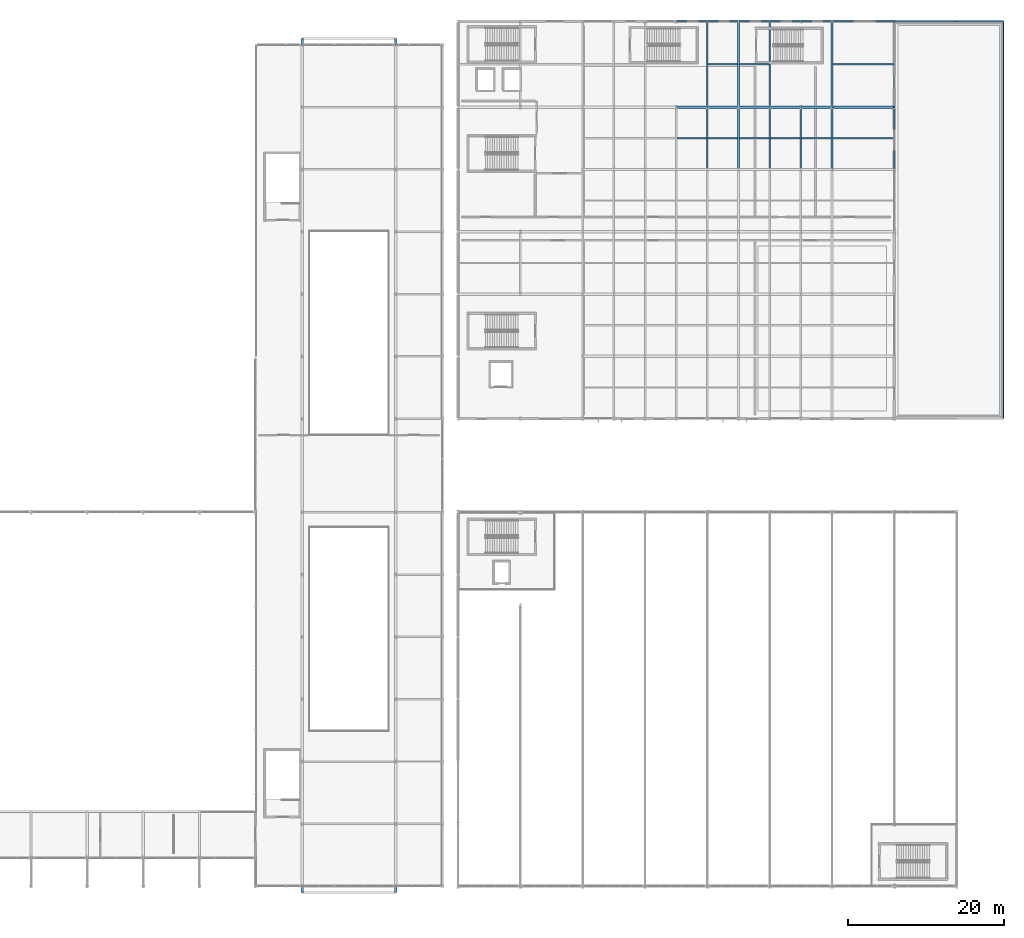
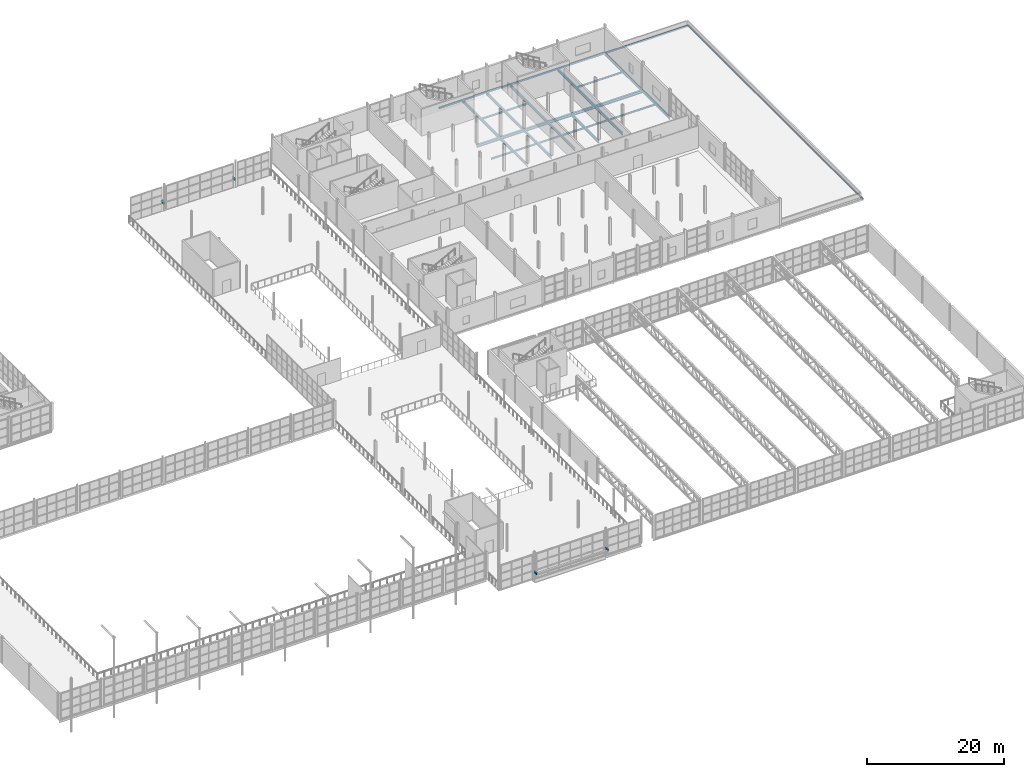
# One storey, part 103 of 143: 44 beams.
"""IFC4 building model written with IfcOpenShell, lengths in metres."""

from ifc_helpers import new_model, si_unit, derived_unit, direction, frame, origin, origin_2d, place, context, subcontext, project, spatial, hollow_rectangle, i_section, extrude, material, material_profile, profile_set, type_object, element, save


model = new_model("IFC4")

# Units and contexts
model_context = context("Model", 3, precision=1e-05, world=origin(), true_north=direction((0.0, 1.0)))
body_context = subcontext(model_context, "Body", "Model", "MODEL_VIEW")
ifc_project = project(units=[si_unit("LENGTHUNIT", "METRE"), si_unit("AREAUNIT", "SQUARE_METRE"), si_unit("VOLUMEUNIT", "CUBIC_METRE"), si_unit("PLANEANGLEUNIT", "RADIAN"), si_unit("MASSUNIT", "GRAM", prefix="KILO"), derived_unit("THERMALTRANSMITTANCEUNIT", [(si_unit("POWERUNIT", "WATT"), 1), (si_unit("LENGTHUNIT", "METRE"), -2), (si_unit("THERMODYNAMICTEMPERATUREUNIT", "KELVIN"), -1)])], contexts=[model_context])

# Site, building, storey
site_placement = place(None, origin())
site = spatial("IfcSite", under=ifc_project, at=site_placement, CompositionType="ELEMENT")
building_placement = place(site_placement, origin())
building = spatial("IfcBuilding", under=site, at=building_placement, Name="Keldorne Ridge Multi-Sports Centre", CompositionType="ELEMENT")
storey_placement = place(building_placement, frame((0.0, 0.0, 4.800048828125)))
storey = spatial("IfcBuildingStorey", under=building, at=storey_placement, Name="L01", CompositionType="ELEMENT", Elevation=4.800048828125)

# Beams
ifc_material = material(Name="Steel S355", Category="steel")
ifc_material_profile_1 = material_profile(ifc_material, i_section(OverallWidth=0.199951171875, OverallDepth=0.5, WebThickness=0.01025390625, FlangeThickness=0.01611328125, FilletRadius=0.02099609375, at=origin_2d()), Name="IPE 500")
ifc_profile_set_1 = profile_set([ifc_material_profile_1], Name="Steel S355")
beam_type_1 = type_object("IfcBeamType", Name="BM-B-02", PredefinedType="BEAM", material=ifc_profile_set_1)
beam_1_placement = place(storey_placement, frame((136.0, 98.0, -0.469970703125), z_axis=(0.0, 1.0, 0.0), x_axis=(-1.0, 0.0, 0.0)))
element("IfcBeam", 1, at=beam_1_placement, inside=storey, type_object=beam_type_1, Name="L01 primary girder 136.5", PredefinedType="BEAM", context=body_context, shape_type="SweptSolid", body=[
    extrude(i_section(OverallWidth=0.199951171875, OverallDepth=0.5, WebThickness=0.01025390625, FlangeThickness=0.01611328125, FilletRadius=0.02099609375, at=origin_2d()), origin(), (0.0, 0.0, 1.0), 8.0),
])
beam_2_placement = place(storey_placement, frame((136.0, 106.0, -0.469970703125), z_axis=(0.0, 1.0, 0.0), x_axis=(-1.0, 0.0, 0.0)))
element("IfcBeam", 2, at=beam_2_placement, inside=storey, type_object=beam_type_1, Name="L01 primary girder 136.6", PredefinedType="BEAM", context=body_context, shape_type="SweptSolid", body=[
    extrude(i_section(OverallWidth=0.199951171875, OverallDepth=0.5, WebThickness=0.01025390625, FlangeThickness=0.01611328125, FilletRadius=0.02099609375, at=origin_2d()), origin(), (0.0, 0.0, 1.0), 11.0),
])
beam_3_placement = place(storey_placement, frame((140.0, 98.0, -0.469970703125), z_axis=(0.0, 1.0, 0.0), x_axis=(-1.0, 0.0, 0.0)))
element("IfcBeam", 3, at=beam_3_placement, inside=storey, type_object=beam_type_1, Name="L01 primary girder 140.5", PredefinedType="BEAM", context=body_context, shape_type="SweptSolid", body=[
    extrude(i_section(OverallWidth=0.199951171875, OverallDepth=0.5, WebThickness=0.01025390625, FlangeThickness=0.01611328125, FilletRadius=0.02099609375, at=origin_2d()), origin(), (0.0, 0.0, 1.0), 8.0),
])
beam_4_placement = place(storey_placement, frame((140.0, 106.0, -0.469970703125), z_axis=(0.0, 1.0, 0.0), x_axis=(-1.0, 0.0, 0.0)))
element("IfcBeam", 4, at=beam_4_placement, inside=storey, type_object=beam_type_1, Name="L01 primary girder 140.6", PredefinedType="BEAM", context=body_context, shape_type="SweptSolid", body=[
    extrude(i_section(OverallWidth=0.199951171875, OverallDepth=0.5, WebThickness=0.01025390625, FlangeThickness=0.01611328125, FilletRadius=0.02099609375, at=origin_2d()), origin(), (0.0, 0.0, 1.0), 11.0),
])
beam_5_placement = place(storey_placement, frame((144.0, 98.0, -0.469970703125), z_axis=(0.0, 1.0, 0.0), x_axis=(-1.0, 0.0, 0.0)))
element("IfcBeam", 5, at=beam_5_placement, inside=storey, type_object=beam_type_1, Name="L01 primary girder 144.5", PredefinedType="BEAM", context=body_context, shape_type="SweptSolid", body=[
    extrude(i_section(OverallWidth=0.199951171875, OverallDepth=0.5, WebThickness=0.01025390625, FlangeThickness=0.01611328125, FilletRadius=0.02099609375, at=origin_2d()), origin(), (0.0, 0.0, 1.0), 8.0),
])
beam_6_placement = place(storey_placement, frame((144.0, 106.0, -0.469970703125), z_axis=(0.0, 1.0, 0.0), x_axis=(-1.0, 0.0, 0.0)))
element("IfcBeam", 6, at=beam_6_placement, inside=storey, type_object=beam_type_1, Name="L01 primary girder 144.6", PredefinedType="BEAM", context=body_context, shape_type="SweptSolid", body=[
    extrude(i_section(OverallWidth=0.199951171875, OverallDepth=0.5, WebThickness=0.01025390625, FlangeThickness=0.01611328125, FilletRadius=0.02099609375, at=origin_2d()), origin(), (0.0, 0.0, 1.0), 11.0),
])
for number, where, z_axis, x_axis, name in (
    (7, (148.0, 98.0, -0.469970703125), (0.0, 1.0, 0.0), (-1.0, 0.0, 0.0), "L01 primary girder 148.5"),
    (8, (152.0, 98.0, -0.469970703125), (0.0, 1.0, 0.0), (-1.0, 0.0, 0.0), "L01 primary girder 152.5"),
):
    element("IfcBeam", number, at=place(storey_placement, frame(where, z_axis=z_axis, x_axis=x_axis)), inside=storey, type_object=beam_type_1, Name=name, PredefinedType="BEAM", context=body_context, shape_type="SweptSolid", body=[
        extrude(i_section(OverallWidth=0.199951171875, OverallDepth=0.5, WebThickness=0.01025390625, FlangeThickness=0.01611328125, FilletRadius=0.02099609375, at=origin_2d()), origin(), (0.0, 0.0, 1.0), 8.0),
    ])
beam_7_placement = place(storey_placement, frame((152.0, 106.0, -0.469970703125), z_axis=(0.0, 1.0, 0.0), x_axis=(-1.0, 0.0, 0.0)))
element("IfcBeam", 9, at=beam_7_placement, inside=storey, type_object=beam_type_1, Name="L01 primary girder 152.6", PredefinedType="BEAM", context=body_context, shape_type="SweptSolid", body=[
    extrude(i_section(OverallWidth=0.199951171875, OverallDepth=0.5, WebThickness=0.01025390625, FlangeThickness=0.01611328125, FilletRadius=0.02099609375, at=origin_2d()), origin(), (0.0, 0.0, 1.0), 11.0),
])
beam_8_placement = place(storey_placement, frame((160.0, 98.0, -0.469970703125), z_axis=(0.0, 1.0, 0.0), x_axis=(-1.0, 0.0, 0.0)))
element("IfcBeam", 10, at=beam_8_placement, inside=storey, type_object=beam_type_1, Name="L01 primary girder 160.5", PredefinedType="BEAM", context=body_context, shape_type="SweptSolid", body=[
    extrude(i_section(OverallWidth=0.199951171875, OverallDepth=0.5, WebThickness=0.01025390625, FlangeThickness=0.01611328125, FilletRadius=0.02099609375, at=origin_2d()), origin(), (0.0, 0.0, 1.0), 8.0),
])
beam_9_placement = place(storey_placement, frame((160.0, 106.0, -0.469970703125), z_axis=(0.0, 1.0, 0.0), x_axis=(-1.0, 0.0, 0.0)))
element("IfcBeam", 11, at=beam_9_placement, inside=storey, type_object=beam_type_1, Name="L01 primary girder 160.6", PredefinedType="BEAM", context=body_context, shape_type="SweptSolid", body=[
    extrude(i_section(OverallWidth=0.199951171875, OverallDepth=0.5, WebThickness=0.01025390625, FlangeThickness=0.01611328125, FilletRadius=0.02099609375, at=origin_2d()), origin(), (0.0, 0.0, 1.0), 11.0),
])
ifc_material_profile_2 = material_profile(ifc_material, i_section(OverallWidth=0.300048828125, OverallDepth=0.489990234375, WebThickness=0.011962890625, FlangeThickness=0.02294921875, FilletRadius=0.027099609375, at=origin_2d()), Name="HEA 500")
ifc_profile_set_2 = profile_set([ifc_material_profile_2], Name="Steel S355")
beam_type_2 = type_object("IfcBeamType", Name="BM-B-08", PredefinedType="BEAM", material=ifc_profile_set_2)
for number, where, z_axis, x_axis, name in (
    (12, (132.0, 106.0, -0.465087890625), (1.0, 0.0, 0.0), (0.0, 1.0, 0.0), "L01 primary beam 6.106"),
    (13, (136.0, 106.0, -0.465087890625), (1.0, 0.0, 0.0), (0.0, 1.0, 0.0), "L01 primary beam 7.106"),
    (14, (140.0, 106.0, -0.465087890625), (1.0, 0.0, 0.0), (0.0, 1.0, 0.0), "L01 primary beam 8.106"),
    (15, (144.0, 106.0, -0.465087890625), (1.0, 0.0, 0.0), (0.0, 1.0, 0.0), "L01 primary beam 9.106"),
    (16, (148.0, 106.0, -0.465087890625), (1.0, 0.0, 0.0), (0.0, 1.0, 0.0), "L01 primary beam 10.106"),
):
    element("IfcBeam", number, at=place(storey_placement, frame(where, z_axis=z_axis, x_axis=x_axis)), inside=storey, type_object=beam_type_2, Name=name, PredefinedType="BEAM", context=body_context, shape_type="SweptSolid", body=[
        extrude(i_section(OverallWidth=0.300048828125, OverallDepth=0.489990234375, WebThickness=0.011962890625, FlangeThickness=0.02294921875, FilletRadius=0.027099609375, at=origin_2d()), origin(), (0.0, 0.0, 1.0), 4.0),
    ])
beam_10_placement = place(storey_placement, frame((152.0, 106.0, -0.465087890625), z_axis=(1.0, 0.0, 0.0), x_axis=(0.0, 1.0, 0.0)))
element("IfcBeam", 17, at=beam_10_placement, inside=storey, type_object=beam_type_2, Name="L01 primary beam 11.106", PredefinedType="BEAM", context=body_context, shape_type="SweptSolid", body=[
    extrude(i_section(OverallWidth=0.300048828125, OverallDepth=0.489990234375, WebThickness=0.011962890625, FlangeThickness=0.02294921875, FilletRadius=0.027099609375, at=origin_2d()), origin(), (0.0, 0.0, 1.0), 8.0),
])
ifc_material_profile_3 = material_profile(ifc_material, i_section(OverallWidth=0.280029296875, OverallDepth=0.280029296875, WebThickness=0.010498046875, FlangeThickness=0.01806640625, FilletRadius=0.02392578125, at=origin_2d()), Name="HEB 280")
ifc_profile_set_3 = profile_set([ifc_material_profile_3], Name="Steel S355")
beam_type_3 = type_object("IfcBeamType", Name="BM-B-20", PredefinedType="BEAM", material=ifc_profile_set_3)
for number, where, z_axis, x_axis, name in (
    (18, (84.0, 5.199951171875, 1.25), (0.0, 1.0, 0.0), (-1.0, 0.0, 0.0), "Entrance canopy tie beam S-84"),
    (19, (96.0, 5.199951171875, 1.25), (0.0, 1.0, 0.0), (-1.0, 0.0, 0.0), "Entrance canopy tie beam S-96"),
    (20, (84.0, 114.800048828125, 1.25), (0.0, -1.0, 0.0), (1.0, 0.0, 0.0), "Entrance canopy tie beam N-84"),
    (21, (96.0, 114.800048828125, 1.25), (0.0, -1.0, 0.0), (1.0, 0.0, 0.0), "Entrance canopy tie beam N-96"),
):
    element("IfcBeam", number, at=place(storey_placement, frame(where, z_axis=z_axis, x_axis=x_axis)), inside=storey, type_object=beam_type_3, Name=name, PredefinedType="BEAM", context=body_context, shape_type="SweptSolid", body=[
        extrude(i_section(OverallWidth=0.280029296875, OverallDepth=0.280029296875, WebThickness=0.010498046875, FlangeThickness=0.01806640625, FilletRadius=0.02392578125, at=origin_2d()), origin(), (0.0, 0.0, 1.0), 0.800048828125),
    ])
ifc_material_profile_4 = material_profile(ifc_material, i_section(OverallWidth=0.14990234375, OverallDepth=0.300048828125, WebThickness=0.007080078125, FlangeThickness=0.0107421875, FilletRadius=0.014892578125, at=origin_2d()), Name="IPE 300")
ifc_profile_set_4 = profile_set([ifc_material_profile_4], Name="Steel S355")
beam_type_4 = type_object("IfcBeamType", Name="BM-J-02", PredefinedType="JOIST", material=ifc_profile_set_4)
for number, where, z_axis, x_axis, name in (
    (22, (132.10009765625, 102.0, -0.3701171875), (1.0, 0.0, 0.0), (0.0, 1.0, 0.0), "L01 secondary joist 6.5"),
    (23, (136.10009765625, 102.0, -0.3701171875), (1.0, 0.0, 0.0), (0.0, 1.0, 0.0), "L01 secondary joist 7.5"),
    (24, (136.10009765625, 111.5, -0.3701171875), (1.0, 0.0, 0.0), (0.0, 1.0, 0.0), "L01 secondary joist 7.6"),
    (25, (140.10009765625, 102.0, -0.3701171875), (1.0, 0.0, 0.0), (0.0, 1.0, 0.0), "L01 secondary joist 8.5"),
    (26, (140.10009765625, 111.5, -0.3701171875), (1.0, 0.0, 0.0), (0.0, 1.0, 0.0), "L01 secondary joist 8.6"),
    (27, (144.10009765625, 102.0, -0.3701171875), (1.0, 0.0, 0.0), (0.0, 1.0, 0.0), "L01 secondary joist 9.5"),
    (28, (148.10009765625, 102.0, -0.3701171875), (1.0, 0.0, 0.0), (0.0, 1.0, 0.0), "L01 secondary joist 10.5"),
):
    element("IfcBeam", number, at=place(storey_placement, frame(where, z_axis=z_axis, x_axis=x_axis)), inside=storey, type_object=beam_type_4, Name=name, PredefinedType="JOIST", context=body_context, shape_type="SweptSolid", body=[
        extrude(i_section(OverallWidth=0.14990234375, OverallDepth=0.300048828125, WebThickness=0.007080078125, FlangeThickness=0.0107421875, FilletRadius=0.014892578125, at=origin_2d()), origin(), (0.0, 0.0, 1.0), 3.7998046875),
    ])
for number, where, z_axis, x_axis, name in (
    (29, (152.10009765625, 102.0, -0.3701171875), (1.0, 0.0, 0.0), (0.0, 1.0, 0.0), "L01 secondary joist 11.5"),
    (30, (152.10009765625, 111.5, -0.3701171875), (1.0, 0.0, 0.0), (0.0, 1.0, 0.0), "L01 secondary joist 11.6"),
):
    element("IfcBeam", number, at=place(storey_placement, frame(where, z_axis=z_axis, x_axis=x_axis)), inside=storey, type_object=beam_type_4, Name=name, PredefinedType="JOIST", context=body_context, shape_type="SweptSolid", body=[
        extrude(i_section(OverallWidth=0.14990234375, OverallDepth=0.300048828125, WebThickness=0.007080078125, FlangeThickness=0.0107421875, FilletRadius=0.014892578125, at=origin_2d()), origin(), (0.0, 0.0, 1.0), 7.7998046875),
    ])
ifc_material_profile_5 = material_profile(ifc_material, hollow_rectangle(XDim=0.199951171875, YDim=0.300048828125, WallThickness=0.012451171875, InnerFilletRadius=0.012451171875, OuterFilletRadius=0.02490234375, at=origin_2d()), Name="RHS 300x200x12.5")
ifc_profile_set_5 = profile_set([ifc_material_profile_5], Name="Steel S355")
beam_type_5 = type_object("IfcBeamType", Name="BM-SP-01", PredefinedType="SPANDREL", material=ifc_profile_set_5)
for number, where, z_axis, x_axis, name in (
    (31, (132.0, 117.0, -0.3701171875), (1.0, 0.0, 0.0), (0.0, 1.0, 0.0), "L01 primary beam 6.117"),
    (32, (136.0, 117.0, -0.3701171875), (1.0, 0.0, 0.0), (0.0, 1.0, 0.0), "L01 primary beam 7.117"),
    (33, (140.0, 117.0, -0.3701171875), (1.0, 0.0, 0.0), (0.0, 1.0, 0.0), "L01 primary beam 8.117"),
    (34, (144.0, 117.0, -0.3701171875), (1.0, 0.0, 0.0), (0.0, 1.0, 0.0), "L01 primary beam 9.117"),
    (35, (148.0, 117.0, -0.3701171875), (1.0, 0.0, 0.0), (0.0, 1.0, 0.0), "L01 primary beam 10.117"),
):
    element("IfcBeam", number, at=place(storey_placement, frame(where, z_axis=z_axis, x_axis=x_axis)), inside=storey, type_object=beam_type_5, Name=name, PredefinedType="SPANDREL", context=body_context, shape_type="SweptSolid", body=[
        extrude(hollow_rectangle(XDim=0.199951171875, YDim=0.300048828125, WallThickness=0.012451171875, InnerFilletRadius=0.012451171875, OuterFilletRadius=0.02490234375, at=origin_2d()), origin(), (0.0, 0.0, 1.0), 4.0),
    ])
for number, where, z_axis, x_axis, name in (
    (36, (152.0, 117.0, -0.3701171875), (1.0, 0.0, 0.0), (0.0, 1.0, 0.0), "L01 primary beam 11.117"),
    (37, (160.0, 117.0, -0.380126953125), (1.0, 0.0, 0.0), (0.0, 1.0, 0.0), "L01 primary beam 12.117"),
):
    element("IfcBeam", number, at=place(storey_placement, frame(where, z_axis=z_axis, x_axis=x_axis)), inside=storey, type_object=beam_type_5, Name=name, PredefinedType="SPANDREL", context=body_context, shape_type="SweptSolid", body=[
        extrude(hollow_rectangle(XDim=0.199951171875, YDim=0.300048828125, WallThickness=0.012451171875, InnerFilletRadius=0.012451171875, OuterFilletRadius=0.02490234375, at=origin_2d()), origin(), (0.0, 0.0, 1.0), 8.0),
    ])
beam_11_placement = place(storey_placement, frame((168.0, 117.0, -0.380126953125), z_axis=(1.0, 0.0, 0.0), x_axis=(0.0, 1.0, 0.0)))
element("IfcBeam", 38, at=beam_11_placement, inside=storey, type_object=beam_type_5, Name="L01 primary beam 13.117", PredefinedType="SPANDREL", context=body_context, shape_type="SweptSolid", body=[
    extrude(hollow_rectangle(XDim=0.199951171875, YDim=0.300048828125, WallThickness=0.012451171875, InnerFilletRadius=0.012451171875, OuterFilletRadius=0.02490234375, at=origin_2d()), origin(), (0.0, 0.0, 1.0), 6.0),
])
ifc_material_profile_6 = material_profile(ifc_material, hollow_rectangle(XDim=0.14990234375, YDim=0.25, WallThickness=0.010009765625, InnerFilletRadius=0.010009765625, OuterFilletRadius=0.02001953125, at=origin_2d()), Name="RHS 250x150x10")
ifc_profile_set_6 = profile_set([ifc_material_profile_6], Name="Steel S355")
beam_type_6 = type_object("IfcBeamType", Name="BM-SP-02", PredefinedType="SPANDREL", material=ifc_profile_set_6)
for number, where, z_axis, x_axis, name in (
    (39, (174.0, 66.0, -0.35498046875), (0.0, 1.0, 0.0), (-1.0, 0.0, 0.0), "L01 primary girder 174.1"),
    (40, (174.0, 74.0, -0.35498046875), (0.0, 1.0, 0.0), (-1.0, 0.0, 0.0), "L01 primary girder 174.2"),
    (41, (174.0, 82.0, -0.35498046875), (0.0, 1.0, 0.0), (-1.0, 0.0, 0.0), "L01 primary girder 174.3"),
    (42, (174.0, 90.0, -0.35498046875), (0.0, 1.0, 0.0), (-1.0, 0.0, 0.0), "L01 primary girder 174.4"),
    (43, (174.0, 98.0, -0.35498046875), (0.0, 1.0, 0.0), (-1.0, 0.0, 0.0), "L01 primary girder 174.5"),
):
    element("IfcBeam", number, at=place(storey_placement, frame(where, z_axis=z_axis, x_axis=x_axis)), inside=storey, type_object=beam_type_6, Name=name, PredefinedType="SPANDREL", context=body_context, shape_type="SweptSolid", body=[
        extrude(hollow_rectangle(XDim=0.14990234375, YDim=0.25, WallThickness=0.010009765625, InnerFilletRadius=0.010009765625, OuterFilletRadius=0.02001953125, at=origin_2d()), origin(), (0.0, 0.0, 1.0), 8.0),
    ])
beam_12_placement = place(storey_placement, frame((174.0, 106.0, -0.35498046875), z_axis=(0.0, 1.0, 0.0), x_axis=(-1.0, 0.0, 0.0)))
element("IfcBeam", 44, at=beam_12_placement, inside=storey, type_object=beam_type_6, Name="L01 primary girder 174.6", PredefinedType="SPANDREL", context=body_context, shape_type="SweptSolid", body=[
    extrude(hollow_rectangle(XDim=0.14990234375, YDim=0.25, WallThickness=0.010009765625, InnerFilletRadius=0.010009765625, OuterFilletRadius=0.02001953125, at=origin_2d()), origin(), (0.0, 0.0, 1.0), 11.0),
])

save(model, "model.ifc")
